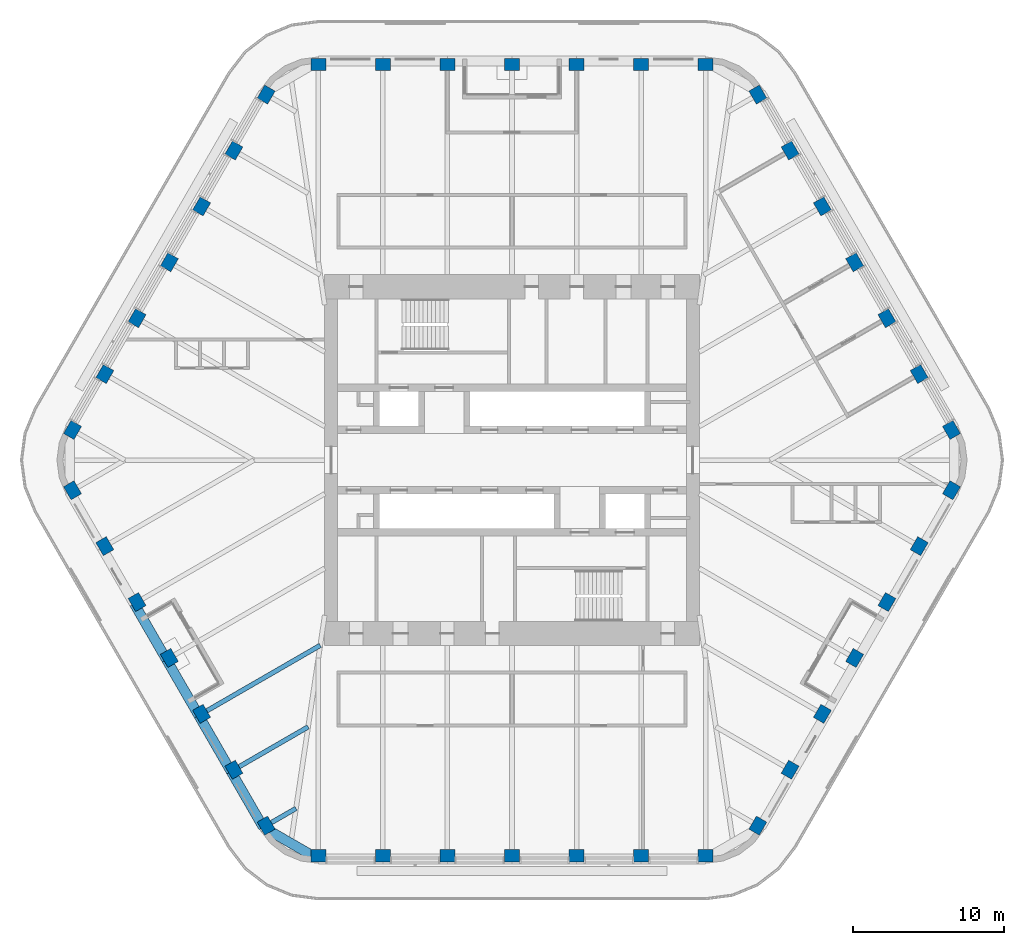
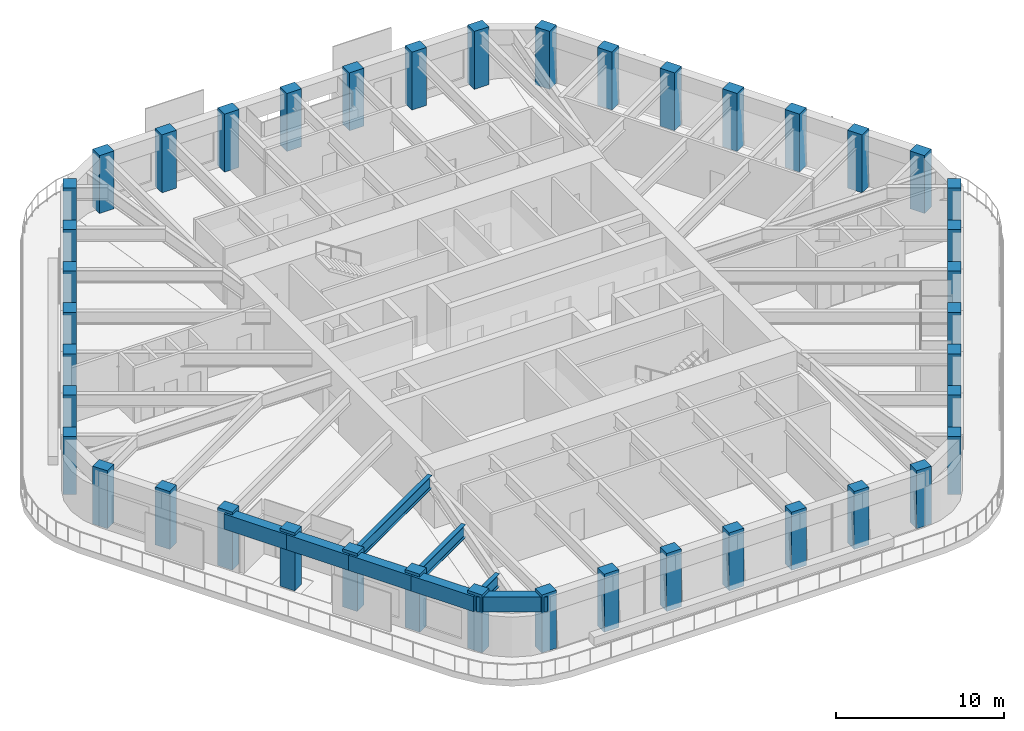
# One storey, part 1 of 19: 42 columns, 8 beams.
"""IFC4 building model written with IfcOpenShell, lengths in metres."""

from ifc_helpers import new_model, si_unit, direction, frame, origin, origin_2d, place, context, subcontext, project, spatial, rectangle, i_section, extrude, material, material_profile, profile_set, type_object, element, save


model = new_model("IFC4")

# Units and contexts
model_context = context("Model", 3, precision=1e-05, world=origin(), true_north=direction((0.0, 1.0)))
body_context = subcontext(model_context, "Body", "Model", "MODEL_VIEW")
ifc_project = project(units=[si_unit("LENGTHUNIT", "METRE"), si_unit("AREAUNIT", "SQUARE_METRE"), si_unit("VOLUMEUNIT", "CUBIC_METRE"), si_unit("PLANEANGLEUNIT", "RADIAN"), si_unit("MASSUNIT", "GRAM", prefix="KILO")], contexts=[model_context])

# Site, building, storey
site_placement = place(None, origin())
site = spatial("IfcSite", under=ifc_project, at=site_placement, CompositionType="ELEMENT")
building_placement = place(site_placement, origin())
building = spatial("IfcBuilding", under=site, at=building_placement, Name="Tarfa Lantern Tower", CompositionType="ELEMENT")
storey_placement = place(building_placement, frame((0.0, 0.0, 345.10009765625)))
storey = spatial("IfcBuildingStorey", under=building, at=storey_placement, Name="L78", CompositionType="ELEMENT", Elevation=345.10009765625)

# Columns
ifc_material_1 = material(Name="Concrete C80/95", Category="concrete")
ifc_material_profile_1 = material_profile(ifc_material_1, rectangle(XDim=1.0, YDim=0.800048828125, at=origin_2d()), Name="RC 1000x800")
ifc_profile_set_1 = profile_set([ifc_material_profile_1], Name="Concrete C80/95")
column_type = type_object("IfcColumnType", Name="TC14 RC 1000x800", PredefinedType="COLUMN", material=ifc_profile_set_1)
for number, where, z_axis, x_axis, name in (
    (1, (29.15625, 2.0, 0.0), (0.0, 0.0, 1.0), (-0.5, 0.866025403784, 0.0), "Tube column NE0"),
    (2, (27.01513671875, 5.708251953125, 0.0), (0.0, 0.0, 1.0), (-0.5, 0.866025403784, 0.0), "Tube column NE1"),
    (3, (24.874267578125, 9.416748046875, 0.0), (0.0, 0.0, 1.0), (-0.5, 0.866025403784, 0.0), "Tube column NE2"),
    (4, (22.733154296875, 13.125, 0.0), (0.0, 0.0, 1.0), (-0.5, 0.866025403784, 0.0), "Tube column NE3"),
    (5, (20.592041015625, 16.833251953125, 0.0), (0.0, 0.0, 1.0), (-0.5, 0.866025403784, 0.0), "Tube column NE4"),
    (6, (18.451171875, 20.541748046875, 0.0), (0.0, 0.0, 1.0), (-0.5, 0.866025403784, 0.0), "Tube column NE5"),
    (7, (16.31005859375, 24.25, 0.0), (0.0, 0.0, 1.0), (-0.5, 0.866025403784, 0.0), "Tube column NE6"),
    (8, (12.845947265625, 26.25, 0.0), (0.0, 0.0, 1.0), (-1.0, 0.0, 0.0), "Tube column N0"),
    (9, (8.56396484375, 26.25, 0.0), (0.0, 0.0, 1.0), (-1.0, 0.0, 0.0), "Tube column N1"),
    (10, (4.281982421875, 26.25, 0.0), (0.0, 0.0, 1.0), (-1.0, 0.0, 0.0), "Tube column N2"),
    (11, (0.0, 26.25, 0.0), (0.0, 0.0, 1.0), (-1.0, 0.0, 0.0), "Tube column N3"),
    (12, (-4.281982421875, 26.25, 0.0), (0.0, 0.0, 1.0), (-1.0, 0.0, 0.0), "Tube column N4"),
    (13, (-8.56396484375, 26.25, 0.0), (0.0, 0.0, 1.0), (-1.0, 0.0, 0.0), "Tube column N5"),
    (14, (-12.845947265625, 26.25, 0.0), (0.0, 0.0, 1.0), (-1.0, 0.0, 0.0), "Tube column N6"),
    (15, (-16.31005859375, 24.25, 0.0), (0.0, 0.0, 1.0), (-0.5, -0.866025403784, 0.0), "Tube column NW0"),
    (16, (-18.451171875, 20.541748046875, 0.0), (0.0, 0.0, 1.0), (-0.5, -0.866025403784, 0.0), "Tube column NW1"),
    (17, (-20.592041015625, 16.833251953125, 0.0), (0.0, 0.0, 1.0), (-0.5, -0.866025403784, 0.0), "Tube column NW2"),
    (18, (-22.733154296875, 13.125, 0.0), (0.0, 0.0, 1.0), (-0.5, -0.866025403784, 0.0), "Tube column NW3"),
    (19, (-24.874267578125, 9.416748046875, 0.0), (0.0, 0.0, 1.0), (-0.5, -0.866025403784, 0.0), "Tube column NW4"),
    (20, (-27.01513671875, 5.708251953125, 0.0), (0.0, 0.0, 1.0), (-0.5, -0.866025403784, 0.0), "Tube column NW5"),
    (21, (-29.15625, 2.0, 0.0), (0.0, 0.0, 1.0), (-0.5, -0.866025403784, 0.0), "Tube column NW6"),
    (22, (-29.15625, -2.0, 0.0), (0.0, 0.0, 1.0), (0.5, -0.866025403784, 0.0), "Tube column SW0"),
    (23, (-27.01513671875, -5.708251953125, 0.0), (0.0, 0.0, 1.0), (0.5, -0.866025403784, 0.0), "Tube column SW1"),
    (24, (-24.874267578125, -9.416748046875, 0.0), (0.0, 0.0, 1.0), (0.5, -0.866025403784, 0.0), "Tube column SW2"),
    (25, (-22.733154296875, -13.125, 0.0), (0.0, 0.0, 1.0), (0.5, -0.866025403784, 0.0), "Tube column SW3"),
    (26, (-20.592041015625, -16.833251953125, 0.0), (0.0, 0.0, 1.0), (0.5, -0.866025403784, 0.0), "Tube column SW4"),
    (27, (-18.451171875, -20.541748046875, 0.0), (0.0, 0.0, 1.0), (0.5, -0.866025403784, 0.0), "Tube column SW5"),
    (28, (-16.31005859375, -24.25, 0.0), (0.0, 0.0, 1.0), (0.5, -0.866025403784, 0.0), "Tube column SW6"),
    (29, (-12.845947265625, -26.25, 0.0), (0.0, 0.0, 1.0), (1.0, 0.0, 0.0), "Tube column S0"),
    (30, (-8.56396484375, -26.25, 0.0), (0.0, 0.0, 1.0), (1.0, 0.0, 0.0), "Tube column S1"),
    (31, (-4.281982421875, -26.25, 0.0), (0.0, 0.0, 1.0), (1.0, 0.0, 0.0), "Tube column S2"),
    (32, (0.0, -26.25, 0.0), (0.0, 0.0, 1.0), (1.0, 0.0, 0.0), "Tube column S3"),
    (33, (4.281982421875, -26.25, 0.0), (0.0, 0.0, 1.0), (1.0, 0.0, 0.0), "Tube column S4"),
    (34, (8.56396484375, -26.25, 0.0), (0.0, 0.0, 1.0), (1.0, 0.0, 0.0), "Tube column S5"),
    (35, (12.845947265625, -26.25, 0.0), (0.0, 0.0, 1.0), (1.0, 0.0, 0.0), "Tube column S6"),
    (36, (16.31005859375, -24.25, 0.0), (0.0, 0.0, 1.0), (0.5, 0.866025403784, 0.0), "Tube column SE0"),
    (37, (18.451171875, -20.541748046875, 0.0), (0.0, 0.0, 1.0), (0.5, 0.866025403784, 0.0), "Tube column SE1"),
    (38, (20.592041015625, -16.833251953125, 0.0), (0.0, 0.0, 1.0), (0.5, 0.866025403784, 0.0), "Tube column SE2"),
    (39, (22.733154296875, -13.125, 0.0), (0.0, 0.0, 1.0), (0.5, 0.866025403784, 0.0), "Tube column SE3"),
    (40, (24.874267578125, -9.416748046875, 0.0), (0.0, 0.0, 1.0), (0.5, 0.866025403784, 0.0), "Tube column SE4"),
    (41, (27.01513671875, -5.708251953125, 0.0), (0.0, 0.0, 1.0), (0.5, 0.866025403784, 0.0), "Tube column SE5"),
    (42, (29.15625, -2.0, 0.0), (0.0, 0.0, 1.0), (0.5, 0.866025403784, 0.0), "Tube column SE6"),
):
    element("IfcColumn", number, at=place(storey_placement, frame(where, z_axis=z_axis, x_axis=x_axis)), inside=storey, type_object=column_type, Name=name, PredefinedType="COLUMN", context=body_context, shape_type="SweptSolid", body=[
        extrude(rectangle(XDim=1.0, YDim=0.800048828125, at=origin_2d()), origin(), (0.0, 0.0, 1.0), 4.199951171875),
    ])

# Beams
ifc_material_profile_2 = material_profile(ifc_material_1, rectangle(XDim=0.64990234375, YDim=1.10009765625, at=origin_2d()), Name="RC 650x1100")
ifc_profile_set_2 = profile_set([ifc_material_profile_2], Name="Concrete C80/95")
beam_type_1 = type_object("IfcBeamType", Name="EB4 RC 650x1100", PredefinedType="SPANDREL", material=ifc_profile_set_2)
beam_1_placement = place(storey_placement, frame((-25.064697265625, -9.526611328125, 3.449951171875), z_axis=(0.500002112793, -0.866024183959, 0.0), x_axis=(0.866024183959, 0.500002112793, 0.0)))
element("IfcBeam", 43, at=beam_1_placement, inside=storey, type_object=beam_type_1, Name="Edge beam SW2", PredefinedType="SPANDREL", context=body_context, shape_type="SweptSolid", body=[
    extrude(rectangle(XDim=0.64990234375, YDim=1.10009765625, at=origin_2d()), origin(), (0.0, 0.0, 1.0), 4.2822265625),
])
for number, where, z_axis, x_axis, name in (
    (44, (-22.923583984375, -13.235107421875, 3.449951171875), (0.499984039138, -0.866034618596, 0.0), (0.866034618596, 0.499984039138, 0.0), "Edge beam SW3"),
    (45, (-20.78271484375, -16.943359375, 3.449951171875), (0.500026801138, -0.866009929587, 0.0), (0.866009929587, 0.500026801138, 0.0), "Edge beam SW4"),
    (46, (-18.6416015625, -20.651611328125, 3.449951171875), (0.499959351497, -0.866048870937, 0.0), (0.866048870937, 0.499959351497, 0.0), "Edge beam SW5"),
):
    element("IfcBeam", number, at=place(storey_placement, frame(where, z_axis=z_axis, x_axis=x_axis)), inside=storey, type_object=beam_type_1, Name=name, PredefinedType="SPANDREL", context=body_context, shape_type="SweptSolid", body=[
        extrude(rectangle(XDim=0.64990234375, YDim=1.10009765625, at=origin_2d()), origin(), (0.0, 0.0, 1.0), 4.281982421875),
    ])
beam_2_placement = place(storey_placement, frame((-16.500732421875, -24.360107421875, 3.449951171875), z_axis=(0.866048788483, -0.499959494327, 0.0), x_axis=(0.499959494327, 0.866048788483, 0.0)))
element("IfcBeam", 47, at=beam_2_placement, inside=storey, type_object=beam_type_1, Name="Edge beam SW6", PredefinedType="SPANDREL", context=body_context, shape_type="SweptSolid", body=[
    extrude(rectangle(XDim=0.64990234375, YDim=1.10009765625, at=origin_2d()), origin(), (0.0, 0.0, 1.0), 4.219970703125),
])
ifc_material_2 = material(Name="Steel S460M", Category="steel")
ifc_material_profile_3 = material_profile(ifc_material_2, i_section(OverallWidth=0.305419921875, OverallDepth=0.91845703125, WebThickness=0.017333984375, FlangeThickness=0.02783203125, FilletRadius=0.01904296875, at=origin_2d()), Name="UB914x305x253")
ifc_profile_set_3 = profile_set([ifc_material_profile_3], Name="Steel S460M")
beam_type_2 = type_object("IfcBeamType", Name="UB914x305x253", PredefinedType="BEAM", material=ifc_profile_set_3)
beam_3_placement = place(storey_placement, frame((-20.78271484375, -16.943359375, 3.540771484375), z_axis=(0.866021806508, 0.500006230613, 0.0), x_axis=(-0.500006230613, 0.866021806508, 0.0)))
element("IfcBeam", 48, at=beam_3_placement, inside=storey, type_object=beam_type_2, Name="Floor beam SW4", PredefinedType="BEAM", context=body_context, shape_type="SweptSolid", body=[
    extrude(i_section(OverallWidth=0.305419921875, OverallDepth=0.91845703125, WebThickness=0.017333984375, FlangeThickness=0.02783203125, FilletRadius=0.01904296875, at=origin_2d()), origin(), (0.0, 0.0, 1.0), 9.30908203125),
])
beam_4_placement = place(storey_placement, frame((-18.6416015625, -20.651611328125, 3.540771484375), z_axis=(0.866024549157, 0.500001480256, 0.0), x_axis=(-0.500001480256, 0.866024549157, 0.0)))
element("IfcBeam", 49, at=beam_4_placement, inside=storey, type_object=beam_type_2, Name="Floor beam SW5", PredefinedType="BEAM", context=body_context, shape_type="SweptSolid", body=[
    extrude(i_section(OverallWidth=0.305419921875, OverallDepth=0.91845703125, WebThickness=0.017333984375, FlangeThickness=0.02783203125, FilletRadius=0.01904296875, at=origin_2d()), origin(), (0.0, 0.0, 1.0), 5.90771484375),
])
beam_5_placement = place(storey_placement, frame((-16.500732421875, -24.360107421875, 3.540771484375), z_axis=(0.865992557167, 0.500056887695, 0.0), x_axis=(-0.500056887695, 0.865992557167, 0.0)))
element("IfcBeam", 50, at=beam_5_placement, inside=storey, type_object=beam_type_2, Name="Floor beam SW6", PredefinedType="BEAM", context=body_context, shape_type="SweptSolid", body=[
    extrude(i_section(OverallWidth=0.305419921875, OverallDepth=0.91845703125, WebThickness=0.017333984375, FlangeThickness=0.02783203125, FilletRadius=0.01904296875, at=origin_2d()), origin(), (0.0, 0.0, 1.0), 2.506591796875),
])

save(model, "model.ifc")
